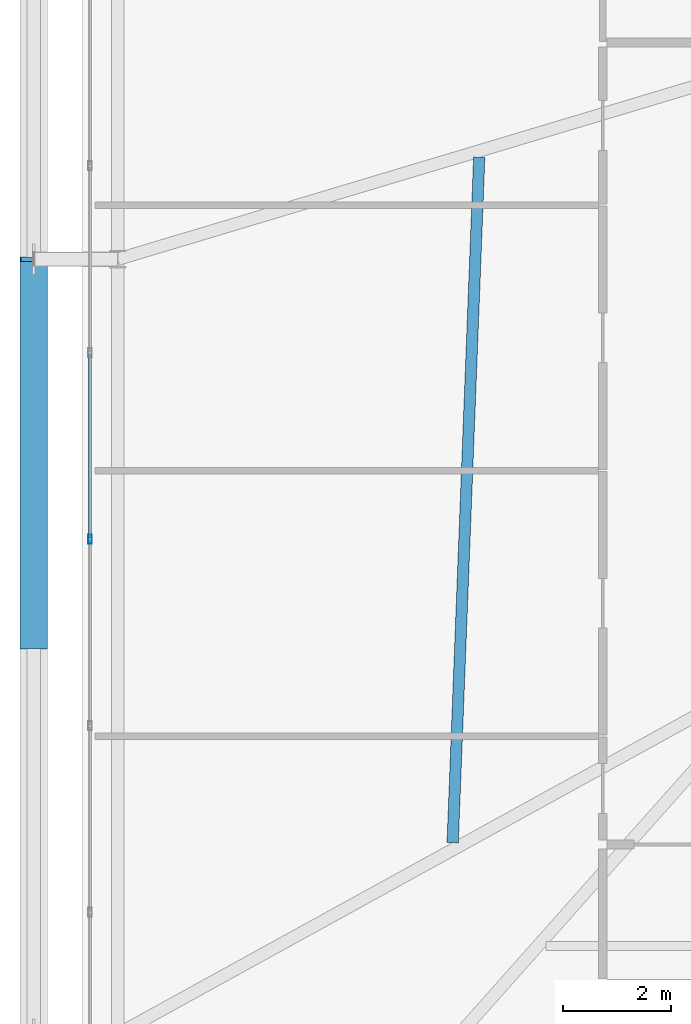
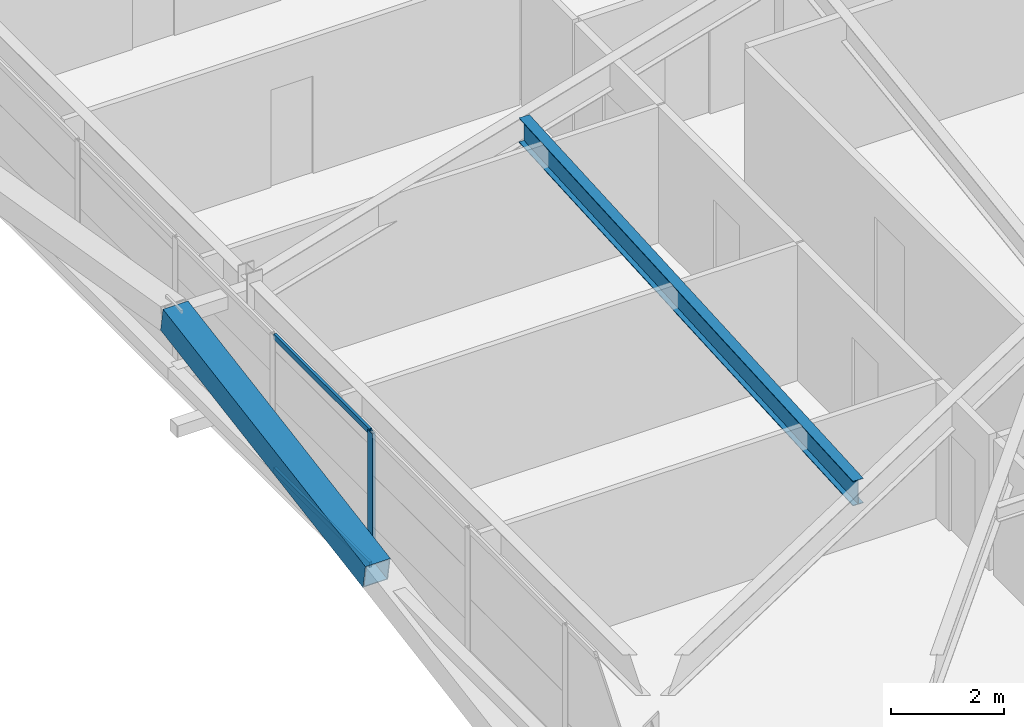
# One storey, part 10 of 58: 4 members, 1 beam, 1 element without a shape of its own.
"""IFC4 building model written with IfcOpenShell, lengths in metres."""

from ifc_helpers import new_model, si_unit, direction, frame, origin, origin_2d, place, context, subcontext, project, spatial, hollow_rectangle, i_section, extrude, source, transform, mapped, material, layer, layer_set, material_profile, profile_set, type_object, element, aggregate, save


model = new_model("IFC4")

# Units and contexts
model_context = context("Model", 3, precision=1e-05, world=origin(), true_north=direction((0.0, 1.0)))
body_context = subcontext(model_context, "Body", "Model", "MODEL_VIEW")
ifc_project = project(units=[si_unit("LENGTHUNIT", "METRE"), si_unit("AREAUNIT", "SQUARE_METRE"), si_unit("VOLUMEUNIT", "CUBIC_METRE"), si_unit("PLANEANGLEUNIT", "RADIAN"), si_unit("MASSUNIT", "GRAM", prefix="KILO")], contexts=[model_context])

# Site, building, storey
site_placement = place(None, origin())
site = spatial("IfcSite", under=ifc_project, at=site_placement, CompositionType="ELEMENT")
building_placement = place(site_placement, origin())
building = spatial("IfcBuilding", under=site, at=building_placement, Name="Taldren Reach Tower", CompositionType="ELEMENT")
storey_placement = place(building_placement, frame((0.0, 0.0, 35.699951171875)))
storey = spatial("IfcBuildingStorey", under=building, at=storey_placement, Name="L10", CompositionType="ELEMENT", Elevation=35.699951171875)

# Beam
ifc_material_1 = material(Name="Steel Gr 350 (350PLUS)", Category="steel")
ifc_material_profile_1 = material_profile(ifc_material_1, i_section(OverallWidth=0.208984375, OverallDepth=0.532958984375, WebThickness=0.01025390625, FlangeThickness=0.015625, at=origin_2d()), Name="530UB92.4")
ifc_profile_set_1 = profile_set([ifc_material_profile_1], Name="Steel Gr 350 (350PLUS)")
beam_type = type_object("IfcBeamType", Name="BM-UB530A", PredefinedType="BEAM", material=ifc_profile_set_1)
shared_shape_1 = source(origin(), body_context, "Body", "SweptSolid", [
    extrude(i_section(OverallWidth=0.208984375, OverallDepth=0.532958984375, WebThickness=0.01025390625, FlangeThickness=0.015625, at=origin_2d()), origin(), (0.0, 0.0, 1.0), 12.65625),
])
beam_placement = place(storey_placement, frame((11.830078125, 9.23291015625, 2.66357421875), z_axis=(0.0387346395, 0.99924953225, 0.0), x_axis=(-0.99924953225, 0.0387346395, 0.0)))
element("IfcBeam", 1, at=beam_placement, inside=storey, type_object=beam_type, Name="Secondary floor beam B1 J6 L10", PredefinedType="BEAM", context=body_context, shape_type="MappedRepresentation", body=[
    mapped(shared_shape_1, transform((0.0, 0.0, 0.0), scale=1.0)),
])

# Member
ifc_material_2 = material(Name="Steel Gr 450 (C450L0)", Category="steel")
ifc_material_profile_2 = material_profile(ifc_material_2, hollow_rectangle(XDim=0.510009765625, YDim=0.510009765625, WallThickness=0.02001953125, at=origin_2d()), Name="510x510x20.0SHS")
ifc_profile_set_2 = profile_set([ifc_material_profile_2], Name="Steel Gr 450 (C450L0)")
member_type_1 = type_object("IfcMemberType", Name="MB-EXO508", PredefinedType="BRACE", material=ifc_profile_set_2)
shared_shape_2 = source(origin(), body_context, "Body", "SweptSolid", [
    extrude(hollow_rectangle(XDim=0.510009765625, YDim=0.510009765625, WallThickness=0.02001953125, at=origin_2d()), origin(), (0.0, 0.0, 1.0), 7.25244140625),
])
member_1_placement = place(storey_placement, frame((4.10009765625, 12.85009765625, 1.43505859375), z_axis=(0.0, 0.985864855729, 0.167542490848), x_axis=(-1.0, 0.0, 0.0)))
element("IfcMember", 2, at=member_1_placement, inside=storey, type_object=member_type_1, Name="Exoskeleton Diagrid Brace B1-W1 L10", PredefinedType="BRACE", context=body_context, shape_type="MappedRepresentation", body=[
    mapped(shared_shape_2, transform((0.0, 0.0, 0.0), scale=1.0)),
])

# Curtain wall, members
ifc_material_3 = material(Name="Aluminium and Low-E Glass Unitised System", Category="aluminium")
ifc_layer = layer(ifc_material_3, 0.159912109375)
ifc_layer_set = layer_set([ifc_layer], Name="Aluminium and Low-E Glass Unitised System")
curtain_wall_type = type_object("IfcCurtainWallType", Name="CW-SYS-2", PredefinedType="NOTDEFINED", material=ifc_layer_set)
curtain_wall_placement = place(storey_placement, origin())
curtain_wall = element("IfcCurtainWall", 3, at=curtain_wall_placement, inside=storey, type_object=curtain_wall_type, Name="Unitised curtain wall CW-L10-W", PredefinedType="NOTDEFINED")
ifc_material_4 = material(Name="Anodised Aluminium 6063-T6", Category="aluminium")
ifc_material_profile_3 = material_profile(ifc_material_4, hollow_rectangle(XDim=0.06494140625, YDim=0.1650390625, WallThickness=0.00390625, at=origin_2d()), Name="ALU-165x65x4RHS")
ifc_profile_set_3 = profile_set([ifc_material_profile_3], Name="Anodised Aluminium 6063-T6")
member_type_2 = type_object("IfcMemberType", Name="CW-MUL-165", PredefinedType="MULLION", material=ifc_profile_set_3)
shared_shape_3 = source(origin(), body_context, "Body", "SweptSolid", [
    extrude(hollow_rectangle(XDim=0.06494140625, YDim=0.1650390625, WallThickness=0.00390625, at=origin_2d()), origin(), (0.0, 0.0, 1.0), 2.929931640625),
])
member_2_placement = place(storey_placement, frame((5.139892578125, 14.833251953125, 0.0), z_axis=(0.0, 0.0, 1.0), x_axis=(1.0, 0.0, 0.0)))
member_2 = element("IfcMember", 4, at=member_2_placement, type_object=member_type_2, Name="CW-2 mullion 7", PredefinedType="MULLION", context=body_context, shape_type="MappedRepresentation", body=[
    mapped(shared_shape_3, transform((0.0, 0.0, 0.0), scale=1.0)),
])
ifc_material_profile_4 = material_profile(ifc_material_4, hollow_rectangle(XDim=0.054931640625, YDim=0.1201171875, WallThickness=0.0029296875, at=origin_2d()), Name="ALU-120x55x3RHS")
ifc_profile_set_4 = profile_set([ifc_material_profile_4], Name="Anodised Aluminium 6063-T6")
member_type_3 = type_object("IfcMemberType", Name="CW-TRN-135", PredefinedType="USERDEFINED", material=ifc_profile_set_4)
shared_shape_4 = source(origin(), body_context, "Body", "SweptSolid", [
    extrude(hollow_rectangle(XDim=0.054931640625, YDim=0.1201171875, WallThickness=0.0029296875, at=origin_2d()), origin(), (0.0, 0.0, 1.0), 3.379638671875),
])
member_3_placement = place(storey_placement, frame((5.139892578125, 18.245361328125, 0.027587890625), z_axis=(0.0, -1.0, 0.0), x_axis=(1.0, 0.0, 0.0)))
member_3 = element("IfcMember", 5, at=member_3_placement, type_object=member_type_3, Name="CW-2 transom 6.1", ObjectType="TRANSOM", PredefinedType="USERDEFINED", context=body_context, shape_type="MappedRepresentation", body=[
    mapped(shared_shape_4, transform((0.0, 0.0, 0.0), scale=1.0)),
])
member_4_placement = place(storey_placement, frame((5.139892578125, 18.245361328125, 2.902587890625), z_axis=(0.0, -1.0, 0.0), x_axis=(1.0, 0.0, 0.0)))
member_4 = element("IfcMember", 6, at=member_4_placement, type_object=member_type_3, Name="CW-2 transom 6.2", ObjectType="TRANSOM", PredefinedType="USERDEFINED", context=body_context, shape_type="MappedRepresentation", body=[
    mapped(shared_shape_4, transform((0.0, 0.0, 0.0), scale=1.0)),
])
aggregate(curtain_wall, [member_2, member_3, member_4])

save(model, "model.ifc")
